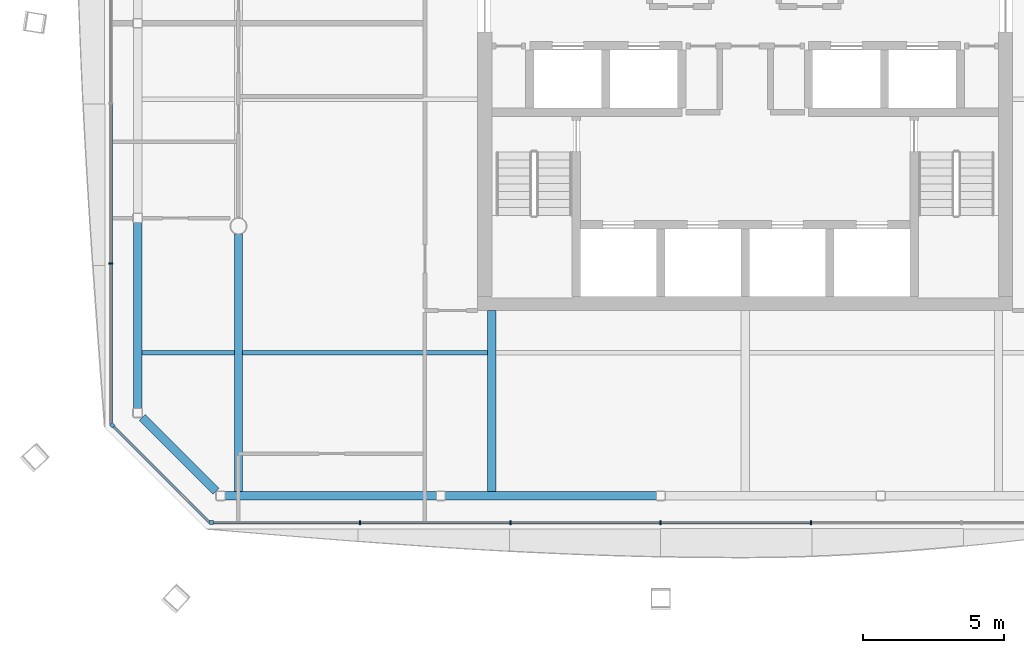
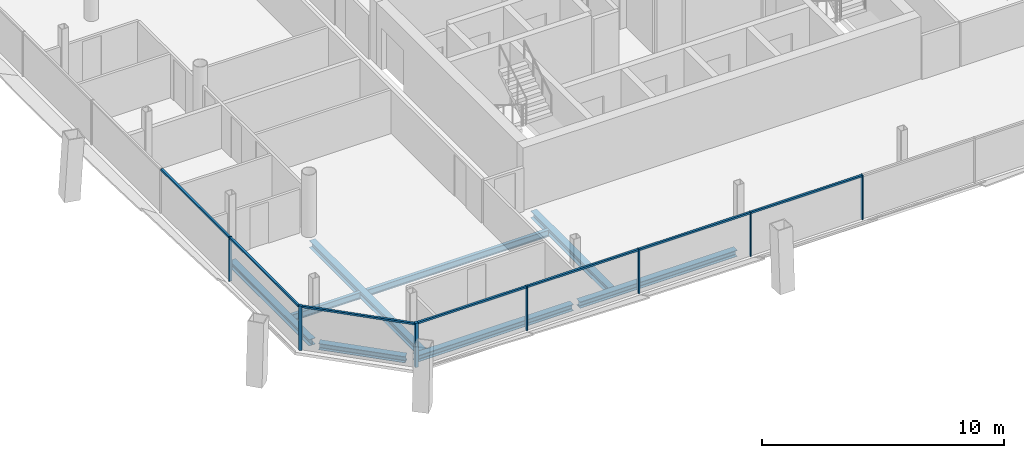
# One storey, part 3 of 19: 14 members, 8 beams, 3 elements without a shape of their own.
"""IFC4 building model written with IfcOpenShell, lengths in metres."""

from ifc_helpers import new_model, si_unit, direction, frame, origin, origin_2d, place, context, subcontext, project, spatial, rectangle, i_section, extrude, material, material_profile, profile_set, type_object, element, aggregate, save


model = new_model("IFC4")

# Units and contexts
model_context = context("Model", 3, precision=1e-05, world=origin(), true_north=direction((0.0, 1.0)))
body_context = subcontext(model_context, "Body", "Model", "MODEL_VIEW")
ifc_project = project(units=[si_unit("LENGTHUNIT", "METRE"), si_unit("AREAUNIT", "SQUARE_METRE"), si_unit("VOLUMEUNIT", "CUBIC_METRE"), si_unit("PLANEANGLEUNIT", "RADIAN"), si_unit("MASSUNIT", "GRAM", prefix="KILO")], contexts=[model_context])

# Site, building, storey
site_placement = place(None, origin())
site = spatial("IfcSite", under=ifc_project, at=site_placement, CompositionType="ELEMENT")
building_placement = place(site_placement, origin())
building = spatial("IfcBuilding", under=site, at=building_placement, Name="Tskaro Facet Tower", CompositionType="ELEMENT")
storey_placement = place(building_placement, frame((0.0, 0.0, 206.85009765625)))
storey = spatial("IfcBuildingStorey", under=building, at=storey_placement, Name="L53", CompositionType="ELEMENT", Elevation=206.85009765625)

# Curtain wall, member
ifc_material_1 = material(Name="Bronze anodised aluminium 6063-T6", Category="aluminium")
curtain_wall_type = type_object("IfcCurtainWallType", Name="Bronze residence curtain wall (FW3)", PredefinedType="NOTDEFINED", material=ifc_material_1)
curtain_wall_1_placement = place(storey_placement, origin())
curtain_wall_1 = element("IfcCurtainWall", 1, at=curtain_wall_1_placement, inside=storey, type_object=curtain_wall_type, Name="FW3 south facet L53", PredefinedType="NOTDEFINED")
ifc_material_profile_1 = material_profile(ifc_material_1, rectangle(XDim=0.139892578125, YDim=0.139892578125, at=origin_2d()), Name="Corner post 140x140")
ifc_profile_set_1 = profile_set([ifc_material_profile_1], Name="Bronze anodised aluminium 6063-T6")
member_type_1 = type_object("IfcMemberType", Name="FW3 bronze corner post 140x140", PredefinedType="MULLION", material=ifc_profile_set_1)
member_1_placement = place(storey_placement, frame((-18.9560546875, -19.532958984375, 0.0), z_axis=(0.0, 0.0, 1.0), x_axis=(1.0, 0.0, 0.0)))
member_1 = element("IfcMember", 2, at=member_1_placement, type_object=member_type_1, Name="FW3 south corner post", PredefinedType="MULLION", context=body_context, shape_type="SweptSolid", body=[
    extrude(rectangle(XDim=0.139892578125, YDim=0.139892578125, at=origin_2d()), origin(), (0.0, 0.0, 1.0), 2.239990234375),
])

curtain_wall_2_placement = place(storey_placement, origin())
curtain_wall_2 = element("IfcCurtainWall", 3, at=curtain_wall_2_placement, inside=storey, type_object=curtain_wall_type, Name="FW3 south-west facet L53", PredefinedType="NOTDEFINED")
member_2_placement = place(storey_placement, frame((-22.4833984375, -16.075439453125, 0.0), z_axis=(0.0, 0.0, 1.0), x_axis=(0.707106781187, -0.707106781187, 0.0)))
member_2 = element("IfcMember", 4, at=member_2_placement, type_object=member_type_1, Name="FW3 south-west corner post", PredefinedType="MULLION", context=body_context, shape_type="SweptSolid", body=[
    extrude(rectangle(XDim=0.139892578125, YDim=0.139892578125, at=origin_2d()), origin(), (0.0, 0.0, 1.0), 2.239990234375),
])

# Member
ifc_material_profile_2 = material_profile(ifc_material_1, rectangle(XDim=0.050048828125, YDim=0.139892578125, at=origin_2d()), Name="Mullion 50x140")
ifc_profile_set_2 = profile_set([ifc_material_profile_2], Name="Bronze anodised aluminium 6063-T6")
member_type_2 = type_object("IfcMemberType", Name="FW3 bronze mullion 50x140", PredefinedType="MULLION", material=ifc_profile_set_2)
member_3_placement = place(storey_placement, frame((-13.68408203125, -19.532958984375, 0.0), z_axis=(0.0, 0.0, 1.0), x_axis=(1.0, 0.0, 0.0)))
member_3 = element("IfcMember", 5, at=member_3_placement, type_object=member_type_2, Name="FW3 south mullion 1", PredefinedType="MULLION", context=body_context, shape_type="SweptSolid", body=[
    extrude(rectangle(XDim=0.050048828125, YDim=0.139892578125, at=origin_2d()), origin(), (0.0, 0.0, 1.0), 2.239990234375),
])

member_4_placement = place(storey_placement, frame((-8.342041015625, -19.532958984375, 0.0), z_axis=(0.0, 0.0, 1.0), x_axis=(1.0, 0.0, 0.0)))
member_4 = element("IfcMember", 6, at=member_4_placement, type_object=member_type_2, Name="FW3 south mullion 2", PredefinedType="MULLION", context=body_context, shape_type="SweptSolid", body=[
    extrude(rectangle(XDim=0.050048828125, YDim=0.139892578125, at=origin_2d()), origin(), (0.0, 0.0, 1.0), 2.239990234375),
])

member_5_placement = place(storey_placement, frame((-3.0, -19.532958984375, 0.0), z_axis=(0.0, 0.0, 1.0), x_axis=(1.0, 0.0, 0.0)))
member_5 = element("IfcMember", 7, at=member_5_placement, type_object=member_type_2, Name="FW3 south mullion 3", PredefinedType="MULLION", context=body_context, shape_type="SweptSolid", body=[
    extrude(rectangle(XDim=0.050048828125, YDim=0.139892578125, at=origin_2d()), origin(), (0.0, 0.0, 1.0), 2.239990234375),
])

member_6_placement = place(storey_placement, frame((2.342041015625, -19.532958984375, 0.0), z_axis=(0.0, 0.0, 1.0), x_axis=(1.0, 0.0, 0.0)))
member_6 = element("IfcMember", 8, at=member_6_placement, type_object=member_type_2, Name="FW3 south mullion 4", PredefinedType="MULLION", context=body_context, shape_type="SweptSolid", body=[
    extrude(rectangle(XDim=0.050048828125, YDim=0.139892578125, at=origin_2d()), origin(), (0.0, 0.0, 1.0), 2.239990234375),
])

# Curtain wall, member
curtain_wall_3_placement = place(storey_placement, origin())
curtain_wall_3 = element("IfcCurtainWall", 9, at=curtain_wall_3_placement, inside=storey, type_object=curtain_wall_type, Name="FW3 west facet L53", PredefinedType="NOTDEFINED")
member_7_placement = place(storey_placement, frame((-22.532958984375, -10.3330078125, 0.0), z_axis=(0.0, 0.0, 1.0), x_axis=(0.0, -1.0, 0.0)))
member_7 = element("IfcMember", 10, at=member_7_placement, type_object=member_type_2, Name="FW3 west mullion 4", PredefinedType="MULLION", context=body_context, shape_type="SweptSolid", body=[
    extrude(rectangle(XDim=0.050048828125, YDim=0.139892578125, at=origin_2d()), origin(), (0.0, 0.0, 1.0), 2.239990234375),
])

# Member
ifc_material_profile_3 = material_profile(ifc_material_1, rectangle(XDim=0.10009765625, YDim=0.090087890625, at=origin_2d()), Name="Transom 100x90")
ifc_profile_set_3 = profile_set([ifc_material_profile_3], Name="Bronze anodised aluminium 6063-T6")
member_type_3 = type_object("IfcMemberType", Name="FW3 bronze transom 100x90", PredefinedType="USERDEFINED", material=ifc_profile_set_3)
member_8_placement = place(storey_placement, frame((-18.885986328125, -19.532958984375, 2.19482421875), z_axis=(1.0, 0.0, 0.0), x_axis=(0.0, 1.0, 0.0)))
member_8 = element("IfcMember", 11, at=member_8_placement, type_object=member_type_3, Name="FW3 south transom 1.1", ObjectType="TRANSOM", PredefinedType="USERDEFINED", context=body_context, shape_type="SweptSolid", body=[
    extrude(rectangle(XDim=0.10009765625, YDim=0.090087890625, at=origin_2d()), origin(), (0.0, 0.0, 1.0), 5.177001953125),
])

member_9_placement = place(storey_placement, frame((-13.658935546875, -19.532958984375, 2.19482421875), z_axis=(1.0, 0.0, 0.0), x_axis=(0.0, 1.0, 0.0)))
member_9 = element("IfcMember", 12, at=member_9_placement, type_object=member_type_3, Name="FW3 south transom 2.1", ObjectType="TRANSOM", PredefinedType="USERDEFINED", context=body_context, shape_type="SweptSolid", body=[
    extrude(rectangle(XDim=0.10009765625, YDim=0.090087890625, at=origin_2d()), origin(), (0.0, 0.0, 1.0), 5.2919921875),
])

member_10_placement = place(storey_placement, frame((-8.31689453125, -19.532958984375, 2.19482421875), z_axis=(1.0, 0.0, 0.0), x_axis=(0.0, 1.0, 0.0)))
member_10 = element("IfcMember", 13, at=member_10_placement, type_object=member_type_3, Name="FW3 south transom 3.1", ObjectType="TRANSOM", PredefinedType="USERDEFINED", context=body_context, shape_type="SweptSolid", body=[
    extrude(rectangle(XDim=0.10009765625, YDim=0.090087890625, at=origin_2d()), origin(), (0.0, 0.0, 1.0), 5.2919921875),
])

member_11_placement = place(storey_placement, frame((-2.97509765625, -19.532958984375, 2.19482421875), z_axis=(1.0, 0.0, 0.0), x_axis=(0.0, 1.0, 0.0)))
member_11 = element("IfcMember", 14, at=member_11_placement, type_object=member_type_3, Name="FW3 south transom 4.1", ObjectType="TRANSOM", PredefinedType="USERDEFINED", context=body_context, shape_type="SweptSolid", body=[
    extrude(rectangle(XDim=0.10009765625, YDim=0.090087890625, at=origin_2d()), origin(), (0.0, 0.0, 1.0), 5.2919921875),
])

aggregate(curtain_wall_1, [member_1, member_3, member_4, member_5, member_6, member_8, member_9, member_10, member_11])

member_12_placement = place(storey_placement, frame((-22.532958984375, -4.6650390625, 2.19482421875), z_axis=(0.0, -1.0, 0.0), x_axis=(1.0, 0.0, 0.0)))
member_12 = element("IfcMember", 15, at=member_12_placement, type_object=member_type_3, Name="FW3 west transom 4.1", ObjectType="TRANSOM", PredefinedType="USERDEFINED", context=body_context, shape_type="SweptSolid", body=[
    extrude(rectangle(XDim=0.10009765625, YDim=0.090087890625, at=origin_2d()), origin(), (0.0, 0.0, 1.0), 5.64306640625),
])

member_13_placement = place(storey_placement, frame((-22.532958984375, -10.35791015625, 2.19482421875), z_axis=(0.0, -1.0, 0.0), x_axis=(1.0, 0.0, 0.0)))
member_13 = element("IfcMember", 16, at=member_13_placement, type_object=member_type_3, Name="FW3 west transom 5.1", ObjectType="TRANSOM", PredefinedType="USERDEFINED", context=body_context, shape_type="SweptSolid", body=[
    extrude(rectangle(XDim=0.10009765625, YDim=0.090087890625, at=origin_2d()), origin(), (0.0, 0.0, 1.0), 5.66796875),
])

aggregate(curtain_wall_3, [member_7, member_12, member_13])

member_14_placement = place(storey_placement, frame((-22.43408203125, -16.125, 2.19482421875), z_axis=(0.707132107814, -0.707081453652, 0.0), x_axis=(0.707081453652, 0.707132107814, 0.0)))
member_14 = element("IfcMember", 17, at=member_14_placement, type_object=member_type_3, Name="FW3 south-west transom 1.1", ObjectType="TRANSOM", PredefinedType="USERDEFINED", context=body_context, shape_type="SweptSolid", body=[
    extrude(rectangle(XDim=0.10009765625, YDim=0.090087890625, at=origin_2d()), origin(), (0.0, 0.0, 1.0), 4.81982421875),
])

aggregate(curtain_wall_2, [member_2, member_14])

# Beams
ifc_material_2 = material(Name="Steel S355J2", Category="steel")
ifc_material_profile_4 = material_profile(ifc_material_2, i_section(OverallWidth=0.300048828125, OverallDepth=0.320068359375, WebThickness=0.011474609375, FlangeThickness=0.0205078125, FilletRadius=0.027099609375, at=origin_2d()), Name="HE 320 B")
ifc_profile_set_4 = profile_set([ifc_material_profile_4], Name="Steel S355J2")
beam_type_1 = type_object("IfcBeamType", Name="HE 320 B ring beam", PredefinedType="BEAM", material=ifc_profile_set_4)
beam_1_placement = place(storey_placement, frame((-18.47802734375, -18.5830078125, -0.300048828125), z_axis=(1.0, 0.0, 0.0), x_axis=(0.0, 1.0, 0.0)))
element("IfcBeam", 18, at=beam_1_placement, inside=storey, type_object=beam_type_1, Name="HE 320 B EB1-4", PredefinedType="BEAM", context=body_context, shape_type="SweptSolid", body=[
    extrude(i_section(OverallWidth=0.300048828125, OverallDepth=0.320068359375, WebThickness=0.011474609375, FlangeThickness=0.0205078125, FilletRadius=0.027099609375, at=origin_2d()), origin(), (0.0, 0.0, 1.0), 7.507080078125),
])
beam_2_placement = place(storey_placement, frame((-10.660888671875, -18.5830078125, -0.300048828125), z_axis=(1.0, 0.0, 0.0), x_axis=(0.0, 1.0, 0.0)))
element("IfcBeam", 19, at=beam_2_placement, inside=storey, type_object=beam_type_1, Name="HE 320 B EB2-4", PredefinedType="BEAM", context=body_context, shape_type="SweptSolid", body=[
    extrude(i_section(OverallWidth=0.300048828125, OverallDepth=0.320068359375, WebThickness=0.011474609375, FlangeThickness=0.0205078125, FilletRadius=0.027099609375, at=origin_2d()), origin(), (0.0, 0.0, 1.0), 7.505859375),
])
beam_3_placement = place(storey_placement, frame((-21.5830078125, -8.867919921875, -0.300048828125), z_axis=(0.0, -1.0, 0.0), x_axis=(1.0, 0.0, 0.0)))
element("IfcBeam", 20, at=beam_3_placement, inside=storey, type_object=beam_type_1, Name="HE 320 B EB20-4", PredefinedType="BEAM", context=body_context, shape_type="SweptSolid", body=[
    extrude(i_section(OverallWidth=0.300048828125, OverallDepth=0.320068359375, WebThickness=0.011474609375, FlangeThickness=0.0205078125, FilletRadius=0.027099609375, at=origin_2d()), origin(), (0.0, 0.0, 1.0), 6.610107421875),
])
beam_4_placement = place(storey_placement, frame((-21.422119140625, -15.7939453125, -0.300048828125), z_axis=(0.707106781187, -0.707106781187, 0.0), x_axis=(0.707106781187, 0.707106781187, 0.0)))
element("IfcBeam", 21, at=beam_4_placement, inside=storey, type_object=beam_type_1, Name="HE 320 B EB21-4", PredefinedType="BEAM", context=body_context, shape_type="SweptSolid", body=[
    extrude(i_section(OverallWidth=0.300048828125, OverallDepth=0.320068359375, WebThickness=0.011474609375, FlangeThickness=0.0205078125, FilletRadius=0.027099609375, at=origin_2d()), origin(), (0.0, 0.0, 1.0), 3.716796875),
])
ifc_material_profile_5 = material_profile(ifc_material_2, i_section(OverallWidth=0.300048828125, OverallDepth=0.35009765625, WebThickness=0.010009765625, FlangeThickness=0.017578125, FilletRadius=0.027099609375, at=origin_2d()), Name="HE 360 A")
ifc_profile_set_5 = profile_set([ifc_material_profile_5], Name="Steel S355J2")
beam_type_2 = type_object("IfcBeamType", Name="HE 360 A girder", PredefinedType="BEAM", material=ifc_profile_set_5)
beam_5_placement = place(storey_placement, frame((-18.0, -18.43310546875, -0.315185546875), z_axis=(0.0, 1.0, 0.0), x_axis=(-1.0, 0.0, 0.0)))
element("IfcBeam", 22, at=beam_5_placement, inside=storey, type_object=beam_type_2, Name="HE 360 A GB2-1-4", PredefinedType="BEAM", context=body_context, shape_type="SweptSolid", body=[
    extrude(i_section(OverallWidth=0.300048828125, OverallDepth=0.35009765625, WebThickness=0.010009765625, FlangeThickness=0.017578125, FilletRadius=0.027099609375, at=origin_2d()), origin(), (0.0, 0.0, 1.0), 9.158203125),
])
beam_6_placement = place(storey_placement, frame((-9.0, -18.43310546875, -0.315185546875), z_axis=(0.0, 1.0, 0.0), x_axis=(-1.0, 0.0, 0.0)))
element("IfcBeam", 23, at=beam_6_placement, inside=storey, type_object=beam_type_2, Name="HE 360 A GB3-1-4", PredefinedType="BEAM", context=body_context, shape_type="SweptSolid", body=[
    extrude(i_section(OverallWidth=0.300048828125, OverallDepth=0.35009765625, WebThickness=0.010009765625, FlangeThickness=0.017578125, FilletRadius=0.027099609375, at=origin_2d()), origin(), (0.0, 0.0, 1.0), 6.43310546875),
])
ifc_material_profile_6 = material_profile(ifc_material_2, i_section(OverallWidth=0.159912109375, OverallDepth=0.330078125, WebThickness=0.007568359375, FlangeThickness=0.011474609375, FilletRadius=0.01806640625, at=origin_2d()), Name="IPE 330")
ifc_profile_set_6 = profile_set([ifc_material_profile_6], Name="Steel S355J2")
beam_type_3 = type_object("IfcBeamType", Name="IPE 330 secondary beam", PredefinedType="BEAM", material=ifc_profile_set_6)
beam_7_placement = place(storey_placement, frame((-21.43310546875, -13.5, -0.30517578125), z_axis=(1.0, 0.0, 0.0), x_axis=(0.0, 1.0, 0.0)))
element("IfcBeam", 24, at=beam_7_placement, inside=storey, type_object=beam_type_3, Name="IPE 330 SB2a-1-4", PredefinedType="BEAM", context=body_context, shape_type="SweptSolid", body=[
    extrude(i_section(OverallWidth=0.159912109375, OverallDepth=0.330078125, WebThickness=0.007568359375, FlangeThickness=0.011474609375, FilletRadius=0.01806640625, at=origin_2d()), origin(), (0.0, 0.0, 1.0), 3.283203125),
])
beam_8_placement = place(storey_placement, frame((-17.85009765625, -13.5, -0.30517578125), z_axis=(1.0, 0.0, 0.0), x_axis=(0.0, 1.0, 0.0)))
element("IfcBeam", 25, at=beam_8_placement, inside=storey, type_object=beam_type_3, Name="IPE 330 SB2a-2-4", PredefinedType="BEAM", context=body_context, shape_type="SweptSolid", body=[
    extrude(i_section(OverallWidth=0.159912109375, OverallDepth=0.330078125, WebThickness=0.007568359375, FlangeThickness=0.011474609375, FilletRadius=0.01806640625, at=origin_2d()), origin(), (0.0, 0.0, 1.0), 8.7001953125),
])

save(model, "model.ifc")
